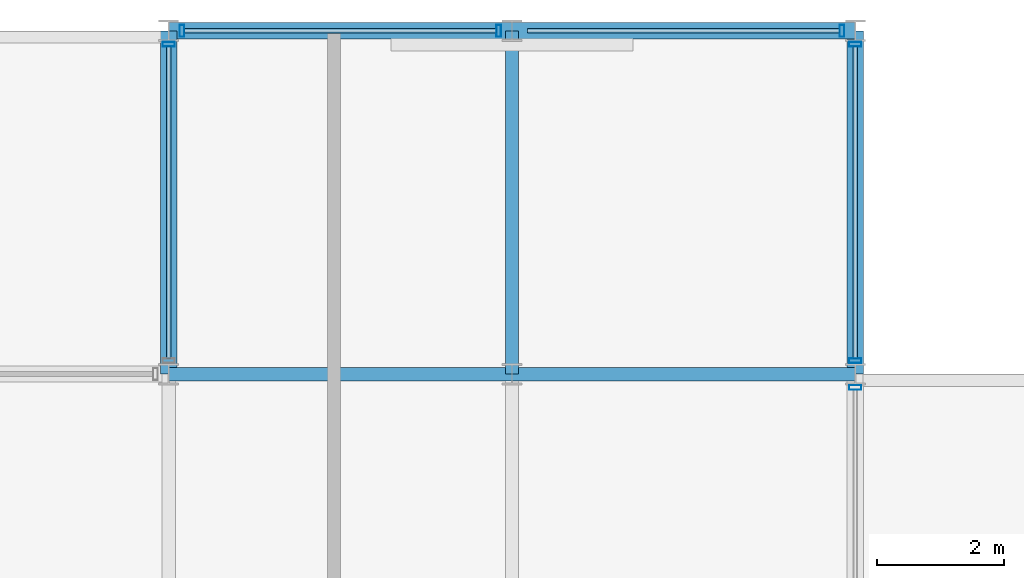
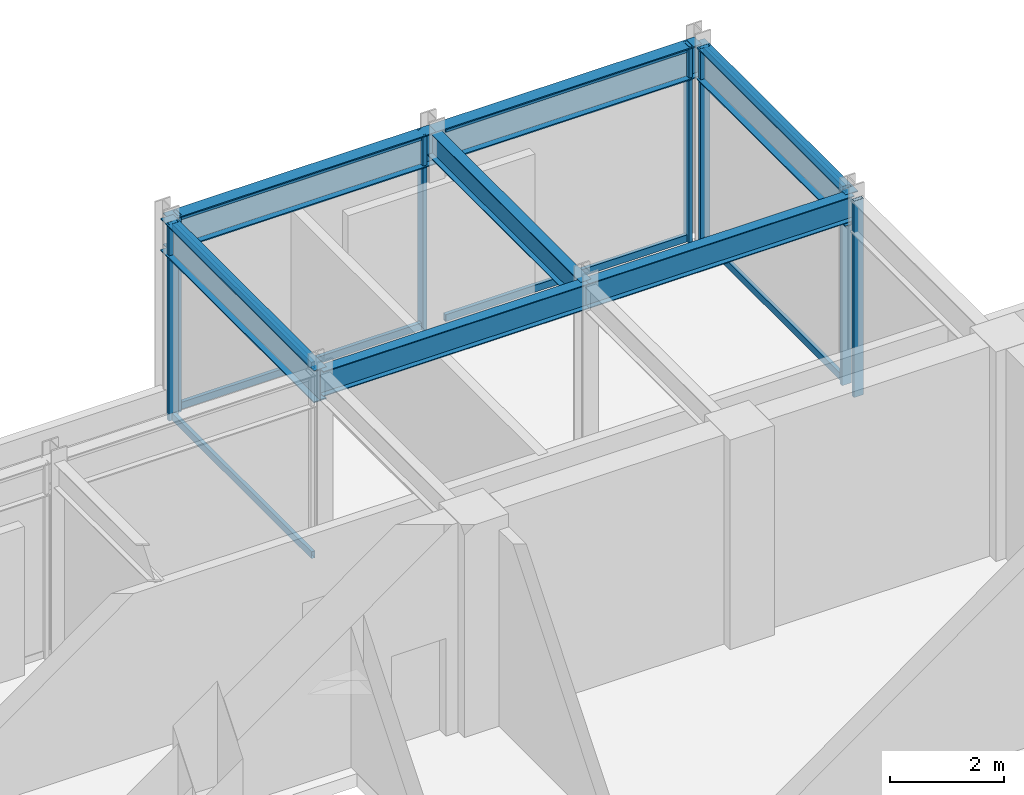
# One storey, part 11 of 18: 15 members, 7 beams, 4 elements without a shape of their own.
"""IFC4 building model written with IfcOpenShell, lengths in metres."""

from ifc_helpers import new_model, si_unit, direction, frame, origin, origin_2d, place, context, subcontext, project, spatial, hollow_rectangle, i_section, extrude, material, layer, layer_set, material_profile, profile_set, type_object, element, aggregate, save


model = new_model("IFC4")

# Units and contexts
model_context = context("Model", 3, precision=1e-05, world=origin(), true_north=direction((0.0, 1.0)))
body_context = subcontext(model_context, "Body", "Model", "MODEL_VIEW")
ifc_project = project(units=[si_unit("LENGTHUNIT", "METRE"), si_unit("AREAUNIT", "SQUARE_METRE"), si_unit("VOLUMEUNIT", "CUBIC_METRE"), si_unit("PLANEANGLEUNIT", "RADIAN"), si_unit("MASSUNIT", "GRAM", prefix="KILO")], contexts=[model_context])

# Site, building, storey
site_placement = place(None, origin())
site = spatial("IfcSite", under=ifc_project, at=site_placement, CompositionType="ELEMENT")
building_placement = place(site_placement, origin())
building = spatial("IfcBuilding", under=site, at=building_placement, Name="Surkhivell Harbour Commons", CompositionType="ELEMENT")
storey_placement = place(building_placement, frame((0.0, 0.0, 351.0)))
storey = spatial("IfcBuildingStorey", under=building, at=storey_placement, Name="L91", CompositionType="ELEMENT", Elevation=351.0)

# Beams
ifc_material_1 = material(Name="Steel S355", Category="steel")
ifc_material_profile_1 = material_profile(ifc_material_1, i_section(OverallWidth=0.2099609375, OverallDepth=0.537109375, WebThickness=0.0107421875, FlangeThickness=0.017333984375, at=origin_2d()), Name="UB533x210x101")
ifc_profile_set_1 = profile_set([ifc_material_profile_1], Name="Steel S355")
beam_type_1 = type_object("IfcBeamType", Name="BM-GRD-533B", PredefinedType="BEAM", material=ifc_profile_set_1)
beam_1_placement = place(storey_placement, frame((0.0, 16.199951171875, 3.951416015625), z_axis=(1.0, 0.0, 0.0), x_axis=(0.0, 1.0, 0.0)))
element("IfcBeam", 1, at=beam_1_placement, inside=storey, type_object=beam_type_1, Name="L91 Floor Girder (0.0,16.2)", PredefinedType="BEAM", context=body_context, shape_type="SweptSolid", body=[
    extrude(i_section(OverallWidth=0.2099609375, OverallDepth=0.537109375, WebThickness=0.0107421875, FlangeThickness=0.017333984375, at=origin_2d()), origin(), (0.0, 0.0, 1.0), 5.39990234375),
])
for number, where, z_axis, x_axis, name in (
    (2, (5.39990234375, 16.199951171875, 3.951416015625), (0.0, 1.0, 0.0), (-1.0, 0.0, 0.0), "L91 Floor Girder (5.4,16.2)"),
    (3, (5.39990234375, 16.199951171875, 3.951416015625), (1.0, 0.0, 0.0), (0.0, 1.0, 0.0), "L91 Floor Girder (5.4,16.2)"),
):
    element("IfcBeam", number, at=place(storey_placement, frame(where, z_axis=z_axis, x_axis=x_axis)), inside=storey, type_object=beam_type_1, Name=name, PredefinedType="BEAM", context=body_context, shape_type="SweptSolid", body=[
        extrude(i_section(OverallWidth=0.2099609375, OverallDepth=0.537109375, WebThickness=0.0107421875, FlangeThickness=0.017333984375, at=origin_2d()), origin(), (0.0, 0.0, 1.0), 5.400146484375),
    ])
ifc_material_profile_2 = material_profile(ifc_material_1, i_section(OverallWidth=0.256103515625, OverallDepth=0.693115234375, WebThickness=0.014404296875, FlangeThickness=0.023681640625, at=origin_2d()), Name="UB686x254x170")
ifc_profile_set_2 = profile_set([ifc_material_profile_2], Name="Steel S355")
beam_type_2 = type_object("IfcBeamType", Name="BM-SPN-686", PredefinedType="SPANDREL", material=ifc_profile_set_2)
beam_2_placement = place(storey_placement, frame((0.0, 16.199951171875, 3.87353515625), z_axis=(0.0, 1.0, 0.0), x_axis=(-1.0, 0.0, 0.0)))
element("IfcBeam", 4, at=beam_2_placement, inside=storey, type_object=beam_type_2, Name="L91 Tube Spandrel (0.0,16.2)", PredefinedType="SPANDREL", context=body_context, shape_type="SweptSolid", body=[
    extrude(i_section(OverallWidth=0.256103515625, OverallDepth=0.693115234375, WebThickness=0.014404296875, FlangeThickness=0.023681640625, at=origin_2d()), origin(), (0.0, 0.0, 1.0), 5.400146484375),
])
beam_3_placement = place(storey_placement, frame((0.0, 21.60009765625, 3.87353515625), z_axis=(1.0, 0.0, 0.0), x_axis=(0.0, 1.0, 0.0)))
element("IfcBeam", 5, at=beam_3_placement, inside=storey, type_object=beam_type_2, Name="L91 Tube Spandrel (0.0,21.6)", PredefinedType="SPANDREL", context=body_context, shape_type="SweptSolid", body=[
    extrude(i_section(OverallWidth=0.256103515625, OverallDepth=0.693115234375, WebThickness=0.014404296875, FlangeThickness=0.023681640625, at=origin_2d()), origin(), (0.0, 0.0, 1.0), 5.39990234375),
])
for number, where, z_axis, x_axis, name in (
    (6, (5.39990234375, 21.60009765625, 3.87353515625), (1.0, 0.0, 0.0), (0.0, 1.0, 0.0), "L91 Tube Spandrel (5.4,21.6)"),
    (7, (10.800048828125, 16.199951171875, 3.87353515625), (0.0, 1.0, 0.0), (-1.0, 0.0, 0.0), "L91 Tube Spandrel (10.8,16.2)"),
):
    element("IfcBeam", number, at=place(storey_placement, frame(where, z_axis=z_axis, x_axis=x_axis)), inside=storey, type_object=beam_type_2, Name=name, PredefinedType="SPANDREL", context=body_context, shape_type="SweptSolid", body=[
        extrude(i_section(OverallWidth=0.256103515625, OverallDepth=0.693115234375, WebThickness=0.014404296875, FlangeThickness=0.023681640625, at=origin_2d()), origin(), (0.0, 0.0, 1.0), 5.400146484375),
    ])

# Curtain wall, members
ifc_material_2 = material(Name="Anodised pale-metal aluminium and insulated glazing", Category="aluminium")
ifc_layer = layer(ifc_material_2, 0.22998046875)
ifc_layer_set = layer_set([ifc_layer], Name="Anodised pale-metal aluminium and insulated glazing")
curtain_wall_type = type_object("IfcCurtainWallType", Name="CW-SYS-CRN", PredefinedType="NOTDEFINED", material=ifc_layer_set)
curtain_wall_1_placement = place(storey_placement, origin())
curtain_wall_1 = element("IfcCurtainWall", 8, at=curtain_wall_1_placement, inside=storey, type_object=curtain_wall_type, Name="L91 Curtain Wall CW-L91-C00S1", PredefinedType="NOTDEFINED")
ifc_material_3 = material(Name="Anodised pale-metal aluminium alloy 6063-T6", Category="aluminium")
ifc_material_profile_3 = material_profile(ifc_material_3, hollow_rectangle(XDim=0.074951171875, YDim=0.18994140625, WallThickness=0.00390625, at=origin_2d()), Name="ALU-MULL-75x190")
ifc_profile_set_3 = profile_set([ifc_material_profile_3], Name="Anodised pale-metal aluminium alloy 6063-T6")
member_type_1 = type_object("IfcMemberType", Name="CWM-190", PredefinedType="MULLION", material=ifc_profile_set_3)
member_1_placement = place(storey_placement, frame((10.800048828125, 16.409423828125, 0.0), z_axis=(0.0, 0.0, 1.0), x_axis=(0.0, 1.0, 0.0)))
member_1 = element("IfcMember", 9, at=member_1_placement, type_object=member_type_1, Name="CW-CRN mullion 1", PredefinedType="MULLION", context=body_context, shape_type="SweptSolid", body=[
    extrude(hollow_rectangle(XDim=0.074951171875, YDim=0.18994140625, WallThickness=0.00390625, at=origin_2d()), origin(), (0.0, 0.0, 1.0), 4.219970703125),
])
member_2_placement = place(storey_placement, frame((10.800048828125, 21.390380859375, 0.0), z_axis=(0.0, 0.0, 1.0), x_axis=(0.0, 1.0, 0.0)))
member_2 = element("IfcMember", 10, at=member_2_placement, type_object=member_type_1, Name="CW-CRN mullion 2", PredefinedType="MULLION", context=body_context, shape_type="SweptSolid", body=[
    extrude(hollow_rectangle(XDim=0.074951171875, YDim=0.18994140625, WallThickness=0.00390625, at=origin_2d()), origin(), (0.0, 0.0, 1.0), 4.219970703125),
])

curtain_wall_2_placement = place(storey_placement, origin())
curtain_wall_2 = element("IfcCurtainWall", 11, at=curtain_wall_2_placement, inside=storey, type_object=curtain_wall_type, Name="L91 Curtain Wall CW-L91-C01", PredefinedType="NOTDEFINED")
member_3_placement = place(storey_placement, frame((10.590576171875, 21.60009765625, 0.0), z_axis=(0.0, 0.0, 1.0), x_axis=(-1.0, 0.0, 0.0)))
member_3 = element("IfcMember", 12, at=member_3_placement, type_object=member_type_1, Name="CW-CRN mullion 1", PredefinedType="MULLION", context=body_context, shape_type="SweptSolid", body=[
    extrude(hollow_rectangle(XDim=0.074951171875, YDim=0.18994140625, WallThickness=0.00390625, at=origin_2d()), origin(), (0.0, 0.0, 1.0), 4.219970703125),
])
member_4_placement = place(storey_placement, frame((5.1904296875, 21.60009765625, 0.0), z_axis=(0.0, 0.0, 1.0), x_axis=(-1.0, 0.0, 0.0)))
member_4 = element("IfcMember", 13, at=member_4_placement, type_object=member_type_1, Name="CW-CRN mullion 2", PredefinedType="MULLION", context=body_context, shape_type="SweptSolid", body=[
    extrude(hollow_rectangle(XDim=0.074951171875, YDim=0.18994140625, WallThickness=0.00390625, at=origin_2d()), origin(), (0.0, 0.0, 1.0), 4.219970703125),
])
member_5_placement = place(storey_placement, frame((0.20947265625, 21.60009765625, 0.0), z_axis=(0.0, 0.0, 1.0), x_axis=(-1.0, 0.0, 0.0)))
member_5 = element("IfcMember", 14, at=member_5_placement, type_object=member_type_1, Name="CW-CRN mullion 3", PredefinedType="MULLION", context=body_context, shape_type="SweptSolid", body=[
    extrude(hollow_rectangle(XDim=0.074951171875, YDim=0.18994140625, WallThickness=0.00390625, at=origin_2d()), origin(), (0.0, 0.0, 1.0), 4.219970703125),
])

# Curtain wall, member
curtain_wall_3_placement = place(storey_placement, origin())
curtain_wall_3 = element("IfcCurtainWall", 15, at=curtain_wall_3_placement, inside=storey, type_object=curtain_wall_type, Name="L91 Curtain Wall CW-L91-C02S1", PredefinedType="NOTDEFINED")
member_6_placement = place(storey_placement, frame((0.0, 21.390380859375, 0.0), z_axis=(0.0, 0.0, 1.0), x_axis=(0.0, -1.0, 0.0)))
member_6 = element("IfcMember", 16, at=member_6_placement, type_object=member_type_1, Name="CW-CRN mullion 1", PredefinedType="MULLION", context=body_context, shape_type="SweptSolid", body=[
    extrude(hollow_rectangle(XDim=0.074951171875, YDim=0.18994140625, WallThickness=0.00390625, at=origin_2d()), origin(), (0.0, 0.0, 1.0), 4.219970703125),
])

curtain_wall_4_placement = place(storey_placement, origin())
curtain_wall_4 = element("IfcCurtainWall", 17, at=curtain_wall_4_placement, inside=storey, type_object=curtain_wall_type, Name="L91 Curtain Wall CW-L91-C06S1", PredefinedType="NOTDEFINED")
member_7_placement = place(storey_placement, frame((10.800048828125, 15.990478515625, 0.0), z_axis=(0.0, 0.0, 1.0), x_axis=(0.0, 1.0, 0.0)))
member_7 = element("IfcMember", 18, at=member_7_placement, type_object=member_type_1, Name="CW-CRN mullion 6", PredefinedType="MULLION", context=body_context, shape_type="SweptSolid", body=[
    extrude(hollow_rectangle(XDim=0.074951171875, YDim=0.18994140625, WallThickness=0.00390625, at=origin_2d()), origin(), (0.0, 0.0, 1.0), 4.219970703125),
])
aggregate(curtain_wall_4, [member_7])

# Member
ifc_material_profile_4 = material_profile(ifc_material_3, hollow_rectangle(XDim=0.074951171875, YDim=0.14990234375, WallThickness=0.00341796875, at=origin_2d()), Name="ALU-TRAN-75x150")
ifc_profile_set_4 = profile_set([ifc_material_profile_4], Name="Anodised pale-metal aluminium alloy 6063-T6")
member_type_2 = type_object("IfcMemberType", Name="CWT-150", PredefinedType="USERDEFINED", material=ifc_profile_set_4)
member_8_placement = place(storey_placement, frame((10.800048828125, 16.447021484375, 0.074951171875), z_axis=(0.0, 1.0, 0.0), x_axis=(-1.0, 0.0, 0.0)))
member_8 = element("IfcMember", 19, at=member_8_placement, type_object=member_type_2, Name="CW-CRN transom 1.1", ObjectType="TRANSOM", PredefinedType="USERDEFINED", context=body_context, shape_type="SweptSolid", body=[
    extrude(hollow_rectangle(XDim=0.074951171875, YDim=0.14990234375, WallThickness=0.00341796875, at=origin_2d()), origin(), (0.0, 0.0, 1.0), 4.906005859375),
])

member_9_placement = place(storey_placement, frame((10.800048828125, 16.447021484375, 4.14501953125), z_axis=(0.0, 1.0, 0.0), x_axis=(-1.0, 0.0, 0.0)))
member_9 = element("IfcMember", 20, at=member_9_placement, type_object=member_type_2, Name="CW-CRN transom 1.2", ObjectType="TRANSOM", PredefinedType="USERDEFINED", context=body_context, shape_type="SweptSolid", body=[
    extrude(hollow_rectangle(XDim=0.074951171875, YDim=0.14990234375, WallThickness=0.00341796875, at=origin_2d()), origin(), (0.0, 0.0, 1.0), 4.906005859375),
])

aggregate(curtain_wall_1, [member_1, member_2, member_8, member_9])

member_10_placement = place(storey_placement, frame((10.552978515625, 21.60009765625, 0.074951171875), z_axis=(-1.0, 0.0, 0.0), x_axis=(0.0, -1.0, 0.0)))
member_10 = element("IfcMember", 21, at=member_10_placement, type_object=member_type_2, Name="CW-CRN transom 1.1", ObjectType="TRANSOM", PredefinedType="USERDEFINED", context=body_context, shape_type="SweptSolid", body=[
    extrude(hollow_rectangle(XDim=0.074951171875, YDim=0.14990234375, WallThickness=0.00341796875, at=origin_2d()), origin(), (0.0, 0.0, 1.0), 4.906005859375),
])

member_11_placement = place(storey_placement, frame((10.552978515625, 21.60009765625, 4.14501953125), z_axis=(-1.0, 0.0, 0.0), x_axis=(0.0, -1.0, 0.0)))
member_11 = element("IfcMember", 22, at=member_11_placement, type_object=member_type_2, Name="CW-CRN transom 1.2", ObjectType="TRANSOM", PredefinedType="USERDEFINED", context=body_context, shape_type="SweptSolid", body=[
    extrude(hollow_rectangle(XDim=0.074951171875, YDim=0.14990234375, WallThickness=0.00341796875, at=origin_2d()), origin(), (0.0, 0.0, 1.0), 4.906005859375),
])

member_12_placement = place(storey_placement, frame((5.153076171875, 21.60009765625, 0.074951171875), z_axis=(-1.0, 0.0, 0.0), x_axis=(0.0, -1.0, 0.0)))
member_12 = element("IfcMember", 23, at=member_12_placement, type_object=member_type_2, Name="CW-CRN transom 2.1", ObjectType="TRANSOM", PredefinedType="USERDEFINED", context=body_context, shape_type="SweptSolid", body=[
    extrude(hollow_rectangle(XDim=0.074951171875, YDim=0.14990234375, WallThickness=0.00341796875, at=origin_2d()), origin(), (0.0, 0.0, 1.0), 4.906005859375),
])

member_13_placement = place(storey_placement, frame((5.153076171875, 21.60009765625, 4.14501953125), z_axis=(-1.0, 0.0, 0.0), x_axis=(0.0, -1.0, 0.0)))
member_13 = element("IfcMember", 24, at=member_13_placement, type_object=member_type_2, Name="CW-CRN transom 2.2", ObjectType="TRANSOM", PredefinedType="USERDEFINED", context=body_context, shape_type="SweptSolid", body=[
    extrude(hollow_rectangle(XDim=0.074951171875, YDim=0.14990234375, WallThickness=0.00341796875, at=origin_2d()), origin(), (0.0, 0.0, 1.0), 4.906005859375),
])

aggregate(curtain_wall_2, [member_3, member_10, member_11, member_4, member_5, member_12, member_13])

member_14_placement = place(storey_placement, frame((0.0, 21.35302734375, 0.074951171875), z_axis=(0.0, -1.0, 0.0), x_axis=(1.0, 0.0, 0.0)))
member_14 = element("IfcMember", 25, at=member_14_placement, type_object=member_type_2, Name="CW-CRN transom 1.1", ObjectType="TRANSOM", PredefinedType="USERDEFINED", context=body_context, shape_type="SweptSolid", body=[
    extrude(hollow_rectangle(XDim=0.074951171875, YDim=0.14990234375, WallThickness=0.00341796875, at=origin_2d()), origin(), (0.0, 0.0, 1.0), 4.906005859375),
])

member_15_placement = place(storey_placement, frame((0.0, 21.35302734375, 4.14501953125), z_axis=(0.0, -1.0, 0.0), x_axis=(1.0, 0.0, 0.0)))
member_15 = element("IfcMember", 26, at=member_15_placement, type_object=member_type_2, Name="CW-CRN transom 1.2", ObjectType="TRANSOM", PredefinedType="USERDEFINED", context=body_context, shape_type="SweptSolid", body=[
    extrude(hollow_rectangle(XDim=0.074951171875, YDim=0.14990234375, WallThickness=0.00341796875, at=origin_2d()), origin(), (0.0, 0.0, 1.0), 4.906005859375),
])

aggregate(curtain_wall_3, [member_6, member_14, member_15])

save(model, "model.ifc")
